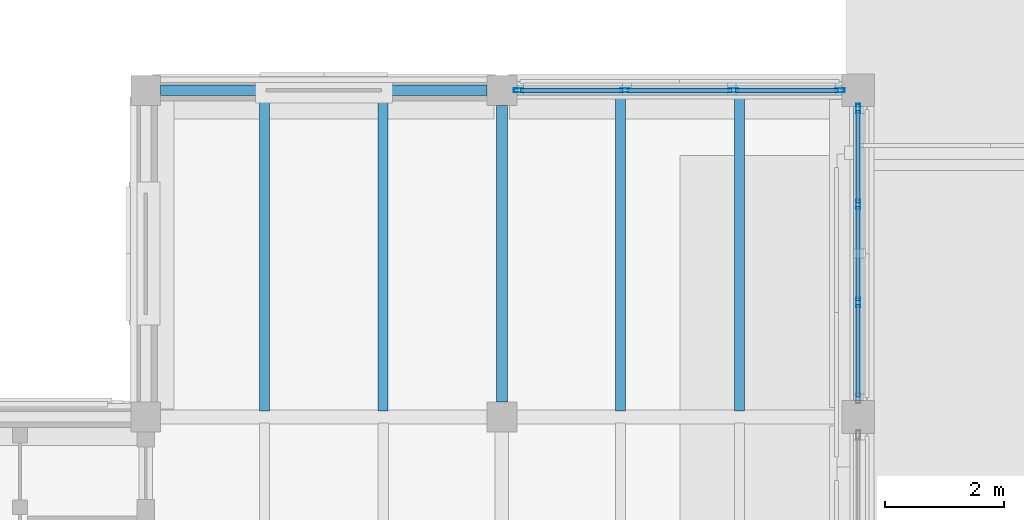
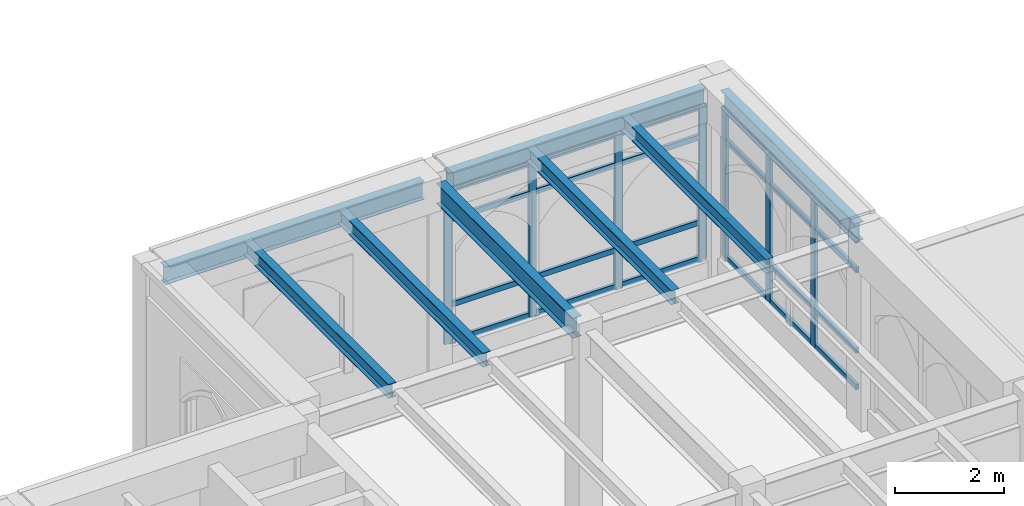
# One storey, part 79 of 143: 31 members, 8 beams, 2 elements without a shape of their own.
"""IFC4 building model written with IfcOpenShell, lengths in metres."""

from ifc_helpers import new_model, si_unit, direction, frame, origin, origin_2d, place, context, subcontext, project, spatial, hollow_rectangle, i_section, extrude, material, layer, layer_set, material_profile, profile_set, type_object, element, aggregate, save


model = new_model("IFC4")

# Units and contexts
model_context = context("Model", 3, precision=1e-05, world=origin(), true_north=direction((0.0, 1.0)))
body_context = subcontext(model_context, "Body", "Model", "MODEL_VIEW")
ifc_project = project(units=[si_unit("LENGTHUNIT", "METRE"), si_unit("AREAUNIT", "SQUARE_METRE"), si_unit("VOLUMEUNIT", "CUBIC_METRE"), si_unit("PLANEANGLEUNIT", "RADIAN"), si_unit("MASSUNIT", "GRAM", prefix="KILO")], contexts=[model_context])

# Site, building, storey
site_placement = place(None, origin())
site = spatial("IfcSite", under=ifc_project, at=site_placement, CompositionType="ELEMENT")
building_placement = place(site_placement, origin())
building = spatial("IfcBuilding", under=site, at=building_placement, Name="Cumevento Cable Car Station", CompositionType="ELEMENT")
storey_placement = place(building_placement, frame((0.0, 0.0, 9.0)))
storey = spatial("IfcBuildingStorey", under=building, at=storey_placement, Name="L03", CompositionType="ELEMENT", Elevation=9.0)

# Curtain wall, members
ifc_material_1 = material(Name="Anodised Bronze Aluminium AW-6063-T6", Category="aluminium")
ifc_layer_1 = layer(ifc_material_1, 0.238037109375)
ifc_layer_set_1 = layer_set([ifc_layer_1], Name="Anodised Bronze Aluminium AW-6063-T6")
curtain_wall_type_1 = type_object("IfcCurtainWallType", Name="Lancet Curtain Wall CW-14 1570", PredefinedType="NOTDEFINED", material=ifc_layer_set_1)
curtain_wall_1_placement = place(storey_placement, origin())
curtain_wall_1 = element("IfcCurtainWall", 1, at=curtain_wall_1_placement, inside=storey, type_object=curtain_wall_type_1, Name="Lancet Curtain Wall CW-14 L03 #141", PredefinedType="NOTDEFINED")
ifc_material_2 = material(Name="Anodised Bronze Aluminium AW-6063-T6", Category="aluminium")
ifc_material_profile_1 = material_profile(ifc_material_2, hollow_rectangle(XDim=0.06494140625, YDim=0.159912109375, WallThickness=0.00390625, at=origin_2d()), Name="ALUM65x160x4")
ifc_profile_set_1 = profile_set([ifc_material_profile_1], Name="Anodised Bronze Aluminium AW-6063-T6")
member_type_1 = type_object("IfcMemberType", Name="Curtain Mullion CWM-01 ALUM65x160x4", PredefinedType="MULLION", material=ifc_profile_set_1)
member_1_placement = place(storey_placement, frame((136.282470703125, 56.5, 0.409912109375), z_axis=(0.0, 0.0, 1.0), x_axis=(0.0, 1.0, 0.0)))
member_1 = element("IfcMember", 2, at=member_1_placement, type_object=member_type_1, Name="CW-14 mullion 1", PredefinedType="MULLION", context=body_context, shape_type="SweptSolid", body=[
    extrude(hollow_rectangle(XDim=0.06494140625, YDim=0.159912109375, WallThickness=0.00390625, at=origin_2d()), origin(), (0.0, 0.0, 1.0), 3.458984375),
])
member_2_placement = place(storey_placement, frame((138.074951171875, 56.5, 0.409912109375), z_axis=(0.0, 0.0, 1.0), x_axis=(0.0, 1.0, 0.0)))
member_2 = element("IfcMember", 3, at=member_2_placement, type_object=member_type_1, Name="CW-14 mullion 2", PredefinedType="MULLION", context=body_context, shape_type="SweptSolid", body=[
    extrude(hollow_rectangle(XDim=0.06494140625, YDim=0.159912109375, WallThickness=0.00390625, at=origin_2d()), origin(), (0.0, 0.0, 1.0), 3.458984375),
])
member_3_placement = place(storey_placement, frame((139.89990234375, 56.5, 0.409912109375), z_axis=(0.0, 0.0, 1.0), x_axis=(0.0, 1.0, 0.0)))
member_3 = element("IfcMember", 4, at=member_3_placement, type_object=member_type_1, Name="CW-14 mullion 3", PredefinedType="MULLION", context=body_context, shape_type="SweptSolid", body=[
    extrude(hollow_rectangle(XDim=0.06494140625, YDim=0.159912109375, WallThickness=0.00390625, at=origin_2d()), origin(), (0.0, 0.0, 1.0), 3.458984375),
])
member_4_placement = place(storey_placement, frame((141.6923828125, 56.5, 0.409912109375), z_axis=(0.0, 0.0, 1.0), x_axis=(0.0, 1.0, 0.0)))
member_4 = element("IfcMember", 5, at=member_4_placement, type_object=member_type_1, Name="CW-14 mullion 4", PredefinedType="MULLION", context=body_context, shape_type="SweptSolid", body=[
    extrude(hollow_rectangle(XDim=0.06494140625, YDim=0.159912109375, WallThickness=0.00390625, at=origin_2d()), origin(), (0.0, 0.0, 1.0), 3.458984375),
])

ifc_material_3 = material(Name="Anodised Bronze Aluminium AW-6063-T6", Category="aluminium")
ifc_layer_2 = layer(ifc_material_3, 0.25)
ifc_layer_set_2 = layer_set([ifc_layer_2], Name="Anodised Bronze Aluminium AW-6063-T6")
curtain_wall_type_2 = type_object("IfcCurtainWallType", Name="Lancet Curtain Wall CW-16 1650", PredefinedType="NOTDEFINED", material=ifc_layer_set_2)
curtain_wall_2_placement = place(storey_placement, origin())
curtain_wall_2 = element("IfcCurtainWall", 6, at=curtain_wall_2_placement, inside=storey, type_object=curtain_wall_type_2, Name="Lancet Curtain Wall CW-16 L03 #143", PredefinedType="NOTDEFINED")
member_5_placement = place(storey_placement, frame((142.0, 56.1923828125, 0.52001953125), z_axis=(0.0, 0.0, 1.0), x_axis=(1.0, 0.0, 0.0)))
member_5 = element("IfcMember", 7, at=member_5_placement, type_object=member_type_1, Name="CW-16 mullion 1", PredefinedType="MULLION", context=body_context, shape_type="SweptSolid", body=[
    extrude(hollow_rectangle(XDim=0.06494140625, YDim=0.159912109375, WallThickness=0.00390625, at=origin_2d()), origin(), (0.0, 0.0, 1.0), 3.348876953125),
])
member_6_placement = place(storey_placement, frame((142.0, 54.574951171875, 0.52001953125), z_axis=(0.0, 0.0, 1.0), x_axis=(1.0, 0.0, 0.0)))
member_6 = element("IfcMember", 8, at=member_6_placement, type_object=member_type_1, Name="CW-16 mullion 2", PredefinedType="MULLION", context=body_context, shape_type="SweptSolid", body=[
    extrude(hollow_rectangle(XDim=0.06494140625, YDim=0.159912109375, WallThickness=0.00390625, at=origin_2d()), origin(), (0.0, 0.0, 1.0), 3.348876953125),
])
member_7_placement = place(storey_placement, frame((142.0, 52.925048828125, 0.52001953125), z_axis=(0.0, 0.0, 1.0), x_axis=(1.0, 0.0, 0.0)))
member_7 = element("IfcMember", 9, at=member_7_placement, type_object=member_type_1, Name="CW-16 mullion 3", PredefinedType="MULLION", context=body_context, shape_type="SweptSolid", body=[
    extrude(hollow_rectangle(XDim=0.06494140625, YDim=0.159912109375, WallThickness=0.00390625, at=origin_2d()), origin(), (0.0, 0.0, 1.0), 3.348876953125),
])

# Member
ifc_material_4 = material(Name="Anodised Bronze Aluminium AW-6063-T6", Category="aluminium")
ifc_material_profile_2 = material_profile(ifc_material_4, hollow_rectangle(XDim=0.06494140625, YDim=0.1201171875, WallThickness=0.00390625, at=origin_2d()), Name="ALUT65x120x4")
ifc_profile_set_2 = profile_set([ifc_material_profile_2], Name="Anodised Bronze Aluminium AW-6063-T6")
member_type_2 = type_object("IfcMemberType", Name="Curtain Transom CWT-01 ALUT65x120x4", PredefinedType="USERDEFINED", material=ifc_profile_set_2)
member_8_placement = place(storey_placement, frame((136.31494140625, 56.5, 0.4423828125), z_axis=(1.0, 0.0, 0.0), x_axis=(0.0, 1.0, 0.0)))
member_8 = element("IfcMember", 10, at=member_8_placement, type_object=member_type_2, Name="CW-14 transom 1.1", ObjectType="TRANSOM", PredefinedType="USERDEFINED", context=body_context, shape_type="SweptSolid", body=[
    extrude(hollow_rectangle(XDim=0.06494140625, YDim=0.1201171875, WallThickness=0.00390625, at=origin_2d()), origin(), (0.0, 0.0, 1.0), 1.7275390625),
])

member_9_placement = place(storey_placement, frame((136.31494140625, 56.5, 1.260009765625), z_axis=(1.0, 0.0, 0.0), x_axis=(0.0, 1.0, 0.0)))
member_9 = element("IfcMember", 11, at=member_9_placement, type_object=member_type_2, Name="CW-14 transom 1.2", ObjectType="TRANSOM", PredefinedType="USERDEFINED", context=body_context, shape_type="SweptSolid", body=[
    extrude(hollow_rectangle(XDim=0.06494140625, YDim=0.1201171875, WallThickness=0.00390625, at=origin_2d()), origin(), (0.0, 0.0, 1.0), 1.7275390625),
])

member_10_placement = place(storey_placement, frame((136.31494140625, 56.5, 3.1689453125), z_axis=(1.0, 0.0, 0.0), x_axis=(0.0, 1.0, 0.0)))
member_10 = element("IfcMember", 12, at=member_10_placement, type_object=member_type_2, Name="CW-14 transom 1.3", ObjectType="TRANSOM", PredefinedType="USERDEFINED", context=body_context, shape_type="SweptSolid", body=[
    extrude(hollow_rectangle(XDim=0.06494140625, YDim=0.1201171875, WallThickness=0.00390625, at=origin_2d()), origin(), (0.0, 0.0, 1.0), 1.7275390625),
])

member_11_placement = place(storey_placement, frame((136.31494140625, 56.5, 3.83642578125), z_axis=(1.0, 0.0, 0.0), x_axis=(0.0, 1.0, 0.0)))
member_11 = element("IfcMember", 13, at=member_11_placement, type_object=member_type_2, Name="CW-14 transom 1.4", ObjectType="TRANSOM", PredefinedType="USERDEFINED", context=body_context, shape_type="SweptSolid", body=[
    extrude(hollow_rectangle(XDim=0.06494140625, YDim=0.1201171875, WallThickness=0.00390625, at=origin_2d()), origin(), (0.0, 0.0, 1.0), 1.7275390625),
])

member_12_placement = place(storey_placement, frame((138.107421875, 56.5, 0.4423828125), z_axis=(1.0, 0.0, 0.0), x_axis=(0.0, 1.0, 0.0)))
member_12 = element("IfcMember", 14, at=member_12_placement, type_object=member_type_2, Name="CW-14 transom 2.1", ObjectType="TRANSOM", PredefinedType="USERDEFINED", context=body_context, shape_type="SweptSolid", body=[
    extrude(hollow_rectangle(XDim=0.06494140625, YDim=0.1201171875, WallThickness=0.00390625, at=origin_2d()), origin(), (0.0, 0.0, 1.0), 1.760009765625),
])

member_13_placement = place(storey_placement, frame((138.107421875, 56.5, 1.260009765625), z_axis=(1.0, 0.0, 0.0), x_axis=(0.0, 1.0, 0.0)))
member_13 = element("IfcMember", 15, at=member_13_placement, type_object=member_type_2, Name="CW-14 transom 2.2", ObjectType="TRANSOM", PredefinedType="USERDEFINED", context=body_context, shape_type="SweptSolid", body=[
    extrude(hollow_rectangle(XDim=0.06494140625, YDim=0.1201171875, WallThickness=0.00390625, at=origin_2d()), origin(), (0.0, 0.0, 1.0), 1.760009765625),
])

member_14_placement = place(storey_placement, frame((138.107421875, 56.5, 3.1689453125), z_axis=(1.0, 0.0, 0.0), x_axis=(0.0, 1.0, 0.0)))
member_14 = element("IfcMember", 16, at=member_14_placement, type_object=member_type_2, Name="CW-14 transom 2.3", ObjectType="TRANSOM", PredefinedType="USERDEFINED", context=body_context, shape_type="SweptSolid", body=[
    extrude(hollow_rectangle(XDim=0.06494140625, YDim=0.1201171875, WallThickness=0.00390625, at=origin_2d()), origin(), (0.0, 0.0, 1.0), 1.760009765625),
])

member_15_placement = place(storey_placement, frame((138.107421875, 56.5, 3.83642578125), z_axis=(1.0, 0.0, 0.0), x_axis=(0.0, 1.0, 0.0)))
member_15 = element("IfcMember", 17, at=member_15_placement, type_object=member_type_2, Name="CW-14 transom 2.4", ObjectType="TRANSOM", PredefinedType="USERDEFINED", context=body_context, shape_type="SweptSolid", body=[
    extrude(hollow_rectangle(XDim=0.06494140625, YDim=0.1201171875, WallThickness=0.00390625, at=origin_2d()), origin(), (0.0, 0.0, 1.0), 1.760009765625),
])

member_16_placement = place(storey_placement, frame((139.9326171875, 56.5, 0.4423828125), z_axis=(1.0, 0.0, 0.0), x_axis=(0.0, 1.0, 0.0)))
member_16 = element("IfcMember", 18, at=member_16_placement, type_object=member_type_2, Name="CW-14 transom 3.1", ObjectType="TRANSOM", PredefinedType="USERDEFINED", context=body_context, shape_type="SweptSolid", body=[
    extrude(hollow_rectangle(XDim=0.06494140625, YDim=0.1201171875, WallThickness=0.00390625, at=origin_2d()), origin(), (0.0, 0.0, 1.0), 1.727294921875),
])

member_17_placement = place(storey_placement, frame((139.9326171875, 56.5, 1.260009765625), z_axis=(1.0, 0.0, 0.0), x_axis=(0.0, 1.0, 0.0)))
member_17 = element("IfcMember", 19, at=member_17_placement, type_object=member_type_2, Name="CW-14 transom 3.2", ObjectType="TRANSOM", PredefinedType="USERDEFINED", context=body_context, shape_type="SweptSolid", body=[
    extrude(hollow_rectangle(XDim=0.06494140625, YDim=0.1201171875, WallThickness=0.00390625, at=origin_2d()), origin(), (0.0, 0.0, 1.0), 1.727294921875),
])

member_18_placement = place(storey_placement, frame((139.9326171875, 56.5, 3.1689453125), z_axis=(1.0, 0.0, 0.0), x_axis=(0.0, 1.0, 0.0)))
member_18 = element("IfcMember", 20, at=member_18_placement, type_object=member_type_2, Name="CW-14 transom 3.3", ObjectType="TRANSOM", PredefinedType="USERDEFINED", context=body_context, shape_type="SweptSolid", body=[
    extrude(hollow_rectangle(XDim=0.06494140625, YDim=0.1201171875, WallThickness=0.00390625, at=origin_2d()), origin(), (0.0, 0.0, 1.0), 1.727294921875),
])

member_19_placement = place(storey_placement, frame((139.9326171875, 56.5, 3.83642578125), z_axis=(1.0, 0.0, 0.0), x_axis=(0.0, 1.0, 0.0)))
member_19 = element("IfcMember", 21, at=member_19_placement, type_object=member_type_2, Name="CW-14 transom 3.4", ObjectType="TRANSOM", PredefinedType="USERDEFINED", context=body_context, shape_type="SweptSolid", body=[
    extrude(hollow_rectangle(XDim=0.06494140625, YDim=0.1201171875, WallThickness=0.00390625, at=origin_2d()), origin(), (0.0, 0.0, 1.0), 1.727294921875),
])

aggregate(curtain_wall_1, [member_1, member_2, member_3, member_4, member_8, member_9, member_10, member_11, member_12, member_13, member_14, member_15, member_16, member_17, member_18, member_19])

member_20_placement = place(storey_placement, frame((142.0, 56.159912109375, 0.552490234375), z_axis=(0.0, -1.0, 0.0), x_axis=(1.0, 0.0, 0.0)))
member_20 = element("IfcMember", 22, at=member_20_placement, type_object=member_type_2, Name="CW-16 transom 1.1", ObjectType="TRANSOM", PredefinedType="USERDEFINED", context=body_context, shape_type="SweptSolid", body=[
    extrude(hollow_rectangle(XDim=0.06494140625, YDim=0.1201171875, WallThickness=0.00390625, at=origin_2d()), origin(), (0.0, 0.0, 1.0), 1.552490234375),
])

member_21_placement = place(storey_placement, frame((142.0, 56.159912109375, 1.3701171875), z_axis=(0.0, -1.0, 0.0), x_axis=(1.0, 0.0, 0.0)))
member_21 = element("IfcMember", 23, at=member_21_placement, type_object=member_type_2, Name="CW-16 transom 1.2", ObjectType="TRANSOM", PredefinedType="USERDEFINED", context=body_context, shape_type="SweptSolid", body=[
    extrude(hollow_rectangle(XDim=0.06494140625, YDim=0.1201171875, WallThickness=0.00390625, at=origin_2d()), origin(), (0.0, 0.0, 1.0), 1.552490234375),
])

member_22_placement = place(storey_placement, frame((142.0, 56.159912109375, 3.1689453125), z_axis=(0.0, -1.0, 0.0), x_axis=(1.0, 0.0, 0.0)))
member_22 = element("IfcMember", 24, at=member_22_placement, type_object=member_type_2, Name="CW-16 transom 1.3", ObjectType="TRANSOM", PredefinedType="USERDEFINED", context=body_context, shape_type="SweptSolid", body=[
    extrude(hollow_rectangle(XDim=0.06494140625, YDim=0.1201171875, WallThickness=0.00390625, at=origin_2d()), origin(), (0.0, 0.0, 1.0), 1.552490234375),
])

member_23_placement = place(storey_placement, frame((142.0, 56.159912109375, 3.83642578125), z_axis=(0.0, -1.0, 0.0), x_axis=(1.0, 0.0, 0.0)))
member_23 = element("IfcMember", 25, at=member_23_placement, type_object=member_type_2, Name="CW-16 transom 1.4", ObjectType="TRANSOM", PredefinedType="USERDEFINED", context=body_context, shape_type="SweptSolid", body=[
    extrude(hollow_rectangle(XDim=0.06494140625, YDim=0.1201171875, WallThickness=0.00390625, at=origin_2d()), origin(), (0.0, 0.0, 1.0), 1.552490234375),
])

member_24_placement = place(storey_placement, frame((142.0, 54.54248046875, 0.552490234375), z_axis=(0.0, -1.0, 0.0), x_axis=(1.0, 0.0, 0.0)))
member_24 = element("IfcMember", 26, at=member_24_placement, type_object=member_type_2, Name="CW-16 transom 2.1", ObjectType="TRANSOM", PredefinedType="USERDEFINED", context=body_context, shape_type="SweptSolid", body=[
    extrude(hollow_rectangle(XDim=0.06494140625, YDim=0.1201171875, WallThickness=0.00390625, at=origin_2d()), origin(), (0.0, 0.0, 1.0), 1.5849609375),
])

member_25_placement = place(storey_placement, frame((142.0, 54.54248046875, 1.3701171875), z_axis=(0.0, -1.0, 0.0), x_axis=(1.0, 0.0, 0.0)))
member_25 = element("IfcMember", 27, at=member_25_placement, type_object=member_type_2, Name="CW-16 transom 2.2", ObjectType="TRANSOM", PredefinedType="USERDEFINED", context=body_context, shape_type="SweptSolid", body=[
    extrude(hollow_rectangle(XDim=0.06494140625, YDim=0.1201171875, WallThickness=0.00390625, at=origin_2d()), origin(), (0.0, 0.0, 1.0), 1.5849609375),
])

member_26_placement = place(storey_placement, frame((142.0, 54.54248046875, 3.1689453125), z_axis=(0.0, -1.0, 0.0), x_axis=(1.0, 0.0, 0.0)))
member_26 = element("IfcMember", 28, at=member_26_placement, type_object=member_type_2, Name="CW-16 transom 2.3", ObjectType="TRANSOM", PredefinedType="USERDEFINED", context=body_context, shape_type="SweptSolid", body=[
    extrude(hollow_rectangle(XDim=0.06494140625, YDim=0.1201171875, WallThickness=0.00390625, at=origin_2d()), origin(), (0.0, 0.0, 1.0), 1.5849609375),
])

member_27_placement = place(storey_placement, frame((142.0, 54.54248046875, 3.83642578125), z_axis=(0.0, -1.0, 0.0), x_axis=(1.0, 0.0, 0.0)))
member_27 = element("IfcMember", 29, at=member_27_placement, type_object=member_type_2, Name="CW-16 transom 2.4", ObjectType="TRANSOM", PredefinedType="USERDEFINED", context=body_context, shape_type="SweptSolid", body=[
    extrude(hollow_rectangle(XDim=0.06494140625, YDim=0.1201171875, WallThickness=0.00390625, at=origin_2d()), origin(), (0.0, 0.0, 1.0), 1.5849609375),
])

member_28_placement = place(storey_placement, frame((142.0, 52.892578125, 0.552490234375), z_axis=(0.0, -1.0, 0.0), x_axis=(1.0, 0.0, 0.0)))
member_28 = element("IfcMember", 30, at=member_28_placement, type_object=member_type_2, Name="CW-16 transom 3.1", ObjectType="TRANSOM", PredefinedType="USERDEFINED", context=body_context, shape_type="SweptSolid", body=[
    extrude(hollow_rectangle(XDim=0.06494140625, YDim=0.1201171875, WallThickness=0.00390625, at=origin_2d()), origin(), (0.0, 0.0, 1.0), 1.552490234375),
])

member_29_placement = place(storey_placement, frame((142.0, 52.892578125, 1.3701171875), z_axis=(0.0, -1.0, 0.0), x_axis=(1.0, 0.0, 0.0)))
member_29 = element("IfcMember", 31, at=member_29_placement, type_object=member_type_2, Name="CW-16 transom 3.2", ObjectType="TRANSOM", PredefinedType="USERDEFINED", context=body_context, shape_type="SweptSolid", body=[
    extrude(hollow_rectangle(XDim=0.06494140625, YDim=0.1201171875, WallThickness=0.00390625, at=origin_2d()), origin(), (0.0, 0.0, 1.0), 1.552490234375),
])

member_30_placement = place(storey_placement, frame((142.0, 52.892578125, 3.1689453125), z_axis=(0.0, -1.0, 0.0), x_axis=(1.0, 0.0, 0.0)))
member_30 = element("IfcMember", 32, at=member_30_placement, type_object=member_type_2, Name="CW-16 transom 3.3", ObjectType="TRANSOM", PredefinedType="USERDEFINED", context=body_context, shape_type="SweptSolid", body=[
    extrude(hollow_rectangle(XDim=0.06494140625, YDim=0.1201171875, WallThickness=0.00390625, at=origin_2d()), origin(), (0.0, 0.0, 1.0), 1.552490234375),
])

member_31_placement = place(storey_placement, frame((142.0, 52.892578125, 3.83642578125), z_axis=(0.0, -1.0, 0.0), x_axis=(1.0, 0.0, 0.0)))
member_31 = element("IfcMember", 33, at=member_31_placement, type_object=member_type_2, Name="CW-16 transom 3.4", ObjectType="TRANSOM", PredefinedType="USERDEFINED", context=body_context, shape_type="SweptSolid", body=[
    extrude(hollow_rectangle(XDim=0.06494140625, YDim=0.1201171875, WallThickness=0.00390625, at=origin_2d()), origin(), (0.0, 0.0, 1.0), 1.552490234375),
])

aggregate(curtain_wall_2, [member_5, member_6, member_7, member_20, member_21, member_22, member_23, member_24, member_25, member_26, member_27, member_28, member_29, member_30, member_31])

# Beams
ifc_material_5 = material(Name="Steel ASTM A572 Grade 50", Category="steel")
ifc_material_profile_3 = material_profile(ifc_material_5, i_section(OverallWidth=0.18994140625, OverallDepth=0.45703125, WebThickness=0.009033203125, FlangeThickness=0.014404296875, at=origin_2d()), Name="W460x74.0")
ifc_profile_set_3 = profile_set([ifc_material_profile_3], Name="Steel ASTM A572 Grade 50")
beam_type_1 = type_object("IfcBeamType", Name="Structural Beam BM-04 W460x74.0", PredefinedType="BEAM", material=ifc_profile_set_3)
beam_1_placement = place(storey_placement, frame((136.0, 51.25, 4.047607421875), z_axis=(0.0, 1.0, 0.0), x_axis=(-1.0, 0.0, 0.0)))
element("IfcBeam", 34, at=beam_1_placement, inside=storey, type_object=beam_type_1, Name="Beam BM-04 L03 #1199", PredefinedType="BEAM", context=body_context, shape_type="SweptSolid", body=[
    extrude(i_section(OverallWidth=0.18994140625, OverallDepth=0.45703125, WebThickness=0.009033203125, FlangeThickness=0.014404296875, at=origin_2d()), origin(), (0.0, 0.0, 1.0), 5.0),
])
ifc_material_6 = material(Name="Steel ASTM A572 Grade 50", Category="steel")
ifc_material_profile_4 = material_profile(ifc_material_6, i_section(OverallWidth=0.1669921875, OverallDepth=0.31689453125, WebThickness=0.007568359375, FlangeThickness=0.01318359375, at=origin_2d()), Name="W310x52.0")
ifc_profile_set_4 = profile_set([ifc_material_profile_4], Name="Steel ASTM A572 Grade 50")
beam_type_2 = type_object("IfcBeamType", Name="Structural Joist JS-02 W310x52.0", PredefinedType="JOIST", material=ifc_profile_set_4)
for number, where, z_axis, x_axis, name in (
    (35, (132.0, 51.10302734375, 4.117431640625), (0.0, 1.0, 0.0), (-1.0, 0.0, 0.0), "Composite Floor Joist JS-02 L03 #1335"),
    (36, (134.0, 51.10302734375, 4.117431640625), (0.0, 1.0, 0.0), (-1.0, 0.0, 0.0), "Composite Floor Joist JS-02 L03 #1337"),
    (37, (138.0, 51.10302734375, 4.117431640625), (0.0, 1.0, 0.0), (-1.0, 0.0, 0.0), "Composite Floor Joist JS-02 L03 #1339"),
    (38, (140.0, 51.10302734375, 4.117431640625), (0.0, 1.0, 0.0), (-1.0, 0.0, 0.0), "Composite Floor Joist JS-02 L03 #1341"),
):
    element("IfcBeam", number, at=place(storey_placement, frame(where, z_axis=z_axis, x_axis=x_axis)), inside=storey, type_object=beam_type_2, Name=name, PredefinedType="JOIST", context=body_context, shape_type="SweptSolid", body=[
        extrude(i_section(OverallWidth=0.1669921875, OverallDepth=0.31689453125, WebThickness=0.007568359375, FlangeThickness=0.01318359375, at=origin_2d()), origin(), (0.0, 0.0, 1.0), 5.320068359375),
    ])
ifc_material_7 = material(Name="Steel ASTM A572 Grade 50", Category="steel")
ifc_material_profile_5 = material_profile(ifc_material_7, i_section(OverallWidth=0.177978515625, OverallDepth=0.406982421875, WebThickness=0.0078125, FlangeThickness=0.0126953125, at=origin_2d()), Name="W410x60.0")
ifc_profile_set_5 = profile_set([ifc_material_profile_5], Name="Steel ASTM A572 Grade 50")
beam_type_3 = type_object("IfcBeamType", Name="Structural Spandrel SP-01 W410x60.0", PredefinedType="SPANDREL", material=ifc_profile_set_5)
beam_2_placement = place(storey_placement, frame((130.25, 56.5, 4.072509765625), z_axis=(1.0, 0.0, 0.0), x_axis=(0.0, 1.0, 0.0)))
element("IfcBeam", 39, at=beam_2_placement, inside=storey, type_object=beam_type_3, Name="Beam SP-01 L03 #1195", PredefinedType="SPANDREL", context=body_context, shape_type="SweptSolid", body=[
    extrude(i_section(OverallWidth=0.177978515625, OverallDepth=0.406982421875, WebThickness=0.0078125, FlangeThickness=0.0126953125, at=origin_2d()), origin(), (0.0, 0.0, 1.0), 5.5),
])
beam_3_placement = place(storey_placement, frame((136.25, 56.5, 4.072509765625), z_axis=(1.0, 0.0, 0.0), x_axis=(0.0, 1.0, 0.0)))
element("IfcBeam", 40, at=beam_3_placement, inside=storey, type_object=beam_type_3, Name="Beam SP-01 L03 #1196", PredefinedType="SPANDREL", context=body_context, shape_type="SweptSolid", body=[
    extrude(i_section(OverallWidth=0.177978515625, OverallDepth=0.406982421875, WebThickness=0.0078125, FlangeThickness=0.0126953125, at=origin_2d()), origin(), (0.0, 0.0, 1.0), 5.47509765625),
])
beam_4_placement = place(storey_placement, frame((142.0, 51.27490234375, 4.072509765625), z_axis=(0.0, 1.0, 0.0), x_axis=(-1.0, 0.0, 0.0)))
element("IfcBeam", 41, at=beam_4_placement, inside=storey, type_object=beam_type_3, Name="Beam SP-01 L03 #1201", PredefinedType="SPANDREL", context=body_context, shape_type="SweptSolid", body=[
    extrude(i_section(OverallWidth=0.177978515625, OverallDepth=0.406982421875, WebThickness=0.0078125, FlangeThickness=0.0126953125, at=origin_2d()), origin(), (0.0, 0.0, 1.0), 4.9501953125),
])

save(model, "model.ifc")
